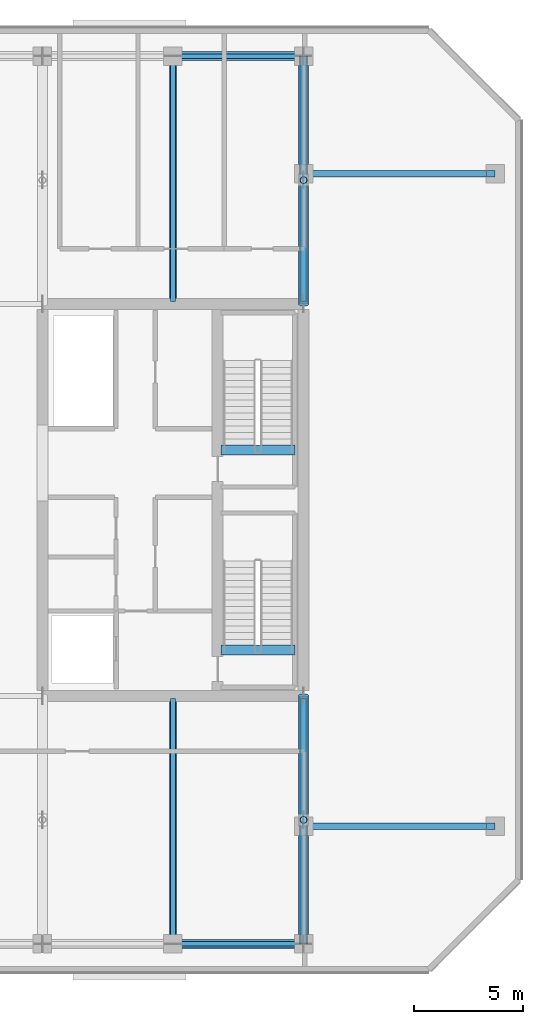
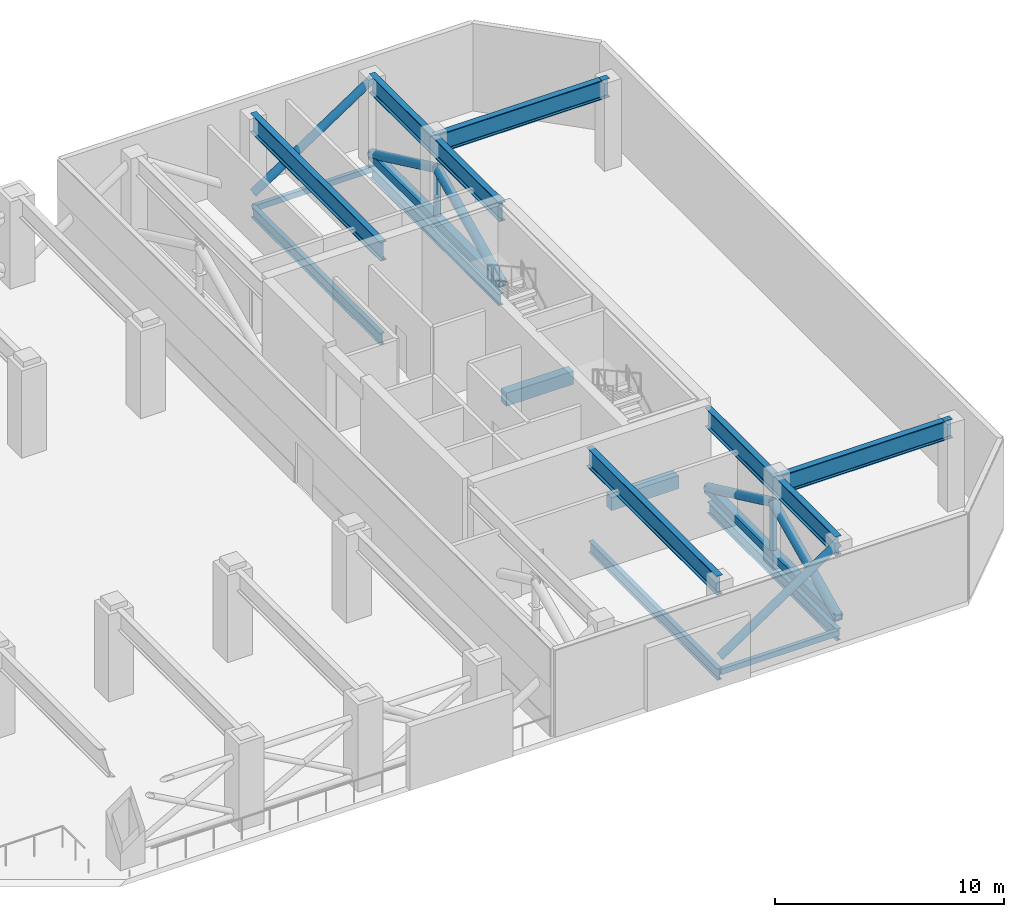
# One storey, part 6 of 18: 16 beams, 10 members.
"""IFC4 building model written with IfcOpenShell, lengths in metres."""

from ifc_helpers import new_model, si_unit, direction, frame, origin, origin_2d, place, context, subcontext, project, spatial, rectangle, hollow_rectangle, hollow_circle, i_section, extrude, material, material_profile, profile_set, type_object, element, save


model = new_model("IFC4")

# Units and contexts
model_context = context("Model", 3, precision=1e-05, world=origin(), true_north=direction((0.0, 1.0)))
body_context = subcontext(model_context, "Body", "Model", "MODEL_VIEW")
ifc_project = project(units=[si_unit("LENGTHUNIT", "METRE"), si_unit("AREAUNIT", "SQUARE_METRE"), si_unit("VOLUMEUNIT", "CUBIC_METRE"), si_unit("PLANEANGLEUNIT", "RADIAN"), si_unit("MASSUNIT", "GRAM", prefix="KILO")], contexts=[model_context])

# Site, building, storey
site_placement = place(None, origin())
site = spatial("IfcSite", under=ifc_project, at=site_placement, CompositionType="ELEMENT")
building_placement = place(site_placement, origin())
building = spatial("IfcBuilding", under=site, at=building_placement, Name="Tanjung Sevakor Pilgrim Tower", CompositionType="ELEMENT")
storey_placement = place(building_placement, frame((0.0, 0.0, 172.919921875)))
storey = spatial("IfcBuildingStorey", under=building, at=storey_placement, Name="L48", CompositionType="ELEMENT", Elevation=172.919921875)

# Beams
ifc_material_1 = material(Name="Steel S355J2", Category="steel")
ifc_material_profile_1 = material_profile(ifc_material_1, i_section(OverallWidth=0.22900390625, OverallDepth=0.6123046875, WebThickness=0.011962890625, FlangeThickness=0.01953125, FilletRadius=0.0126953125, at=origin_2d()))
ifc_profile_set_1 = profile_set([ifc_material_profile_1], Name="Steel S355J2")
beam_type_1 = type_object("IfcBeamType", Name="BM-B-G4-UB_610x229x125", PredefinedType="BEAM", material=ifc_profile_set_1)
for number, where, z_axis, x_axis, name in (
    (1, (84.0, 13.199951171875, -0.5859375), (0.0, 1.0, 0.0), (-1.0, 0.0, 0.0), "L48 MAIN Girder 025"),
    (2, (84.0, 42.715087890625, -0.5859375), (0.0, 1.0, 0.0), (-1.0, 0.0, 0.0), "L48 MAIN Girder 026"),
    (3, (90.0, 13.199951171875, -0.5859375), (0.0, 1.0, 0.0), (-1.0, 0.0, 0.0), "L48 MAIN Girder 027"),
    (4, (90.0, 42.715087890625, -0.5859375), (0.0, 1.0, 0.0), (-1.0, 0.0, 0.0), "L48 MAIN Girder 028"),
):
    element("IfcBeam", number, at=place(storey_placement, frame(where, z_axis=z_axis, x_axis=x_axis)), inside=storey, type_object=beam_type_1, Name=name, PredefinedType="BEAM", context=body_context, shape_type="SweptSolid", body=[
        extrude(i_section(OverallWidth=0.22900390625, OverallDepth=0.6123046875, WebThickness=0.011962890625, FlangeThickness=0.01953125, FilletRadius=0.0126953125, at=origin_2d()), origin(), (0.0, 0.0, 1.0), 11.284912109375),
    ])
ifc_material_2 = material(Name="Steel S460M", Category="steel")
ifc_material_profile_2 = material_profile(ifc_material_2, i_section(OverallWidth=0.302001953125, OverallDepth=1.008056640625, WebThickness=0.02099609375, FlangeThickness=0.0400390625, FilletRadius=0.030029296875, at=origin_2d()))
ifc_profile_set_2 = profile_set([ifc_material_profile_2], Name="Steel S460M")
beam_type_2 = type_object("IfcBeamType", Name="BM-B-G7-HE_1000M", PredefinedType="BEAM", material=ifc_profile_set_2)
beam_1_placement = place(storey_placement, frame((90.0, 18.60009765625, 4.166015625), z_axis=(1.0, 0.0, 0.0), x_axis=(0.0, 1.0, 0.0)))
element("IfcBeam", 5, at=beam_1_placement, inside=storey, type_object=beam_type_2, Name="L48 Short-End Setback Transfer Girder E Y18.6-1", PredefinedType="BEAM", context=body_context, shape_type="SweptSolid", body=[
    extrude(i_section(OverallWidth=0.302001953125, OverallDepth=1.008056640625, WebThickness=0.02099609375, FlangeThickness=0.0400390625, FilletRadius=0.030029296875, at=origin_2d()), origin(), (0.0, 0.0, 1.0), 8.39990234375),
])
beam_2_placement = place(storey_placement, frame((98.39990234375, 18.60009765625, 4.166015625), z_axis=(1.0, 0.0, 0.0), x_axis=(0.0, 1.0, 0.0)))
element("IfcBeam", 6, at=beam_2_placement, inside=storey, type_object=beam_type_2, Name="L48 Short-End Setback Transfer Girder E Y18.6-2", PredefinedType="BEAM", context=body_context, shape_type="SweptSolid", body=[
    extrude(i_section(OverallWidth=0.302001953125, OverallDepth=1.008056640625, WebThickness=0.02099609375, FlangeThickness=0.0400390625, FilletRadius=0.030029296875, at=origin_2d()), origin(), (0.0, 0.0, 1.0), 0.400146484375),
])
beam_3_placement = place(storey_placement, frame((90.0, 48.60009765625, 4.166015625), z_axis=(1.0, 0.0, 0.0), x_axis=(0.0, 1.0, 0.0)))
element("IfcBeam", 7, at=beam_3_placement, inside=storey, type_object=beam_type_2, Name="L48 Short-End Setback Transfer Girder E Y48.6-1", PredefinedType="BEAM", context=body_context, shape_type="SweptSolid", body=[
    extrude(i_section(OverallWidth=0.302001953125, OverallDepth=1.008056640625, WebThickness=0.02099609375, FlangeThickness=0.0400390625, FilletRadius=0.030029296875, at=origin_2d()), origin(), (0.0, 0.0, 1.0), 8.39990234375),
])
beam_4_placement = place(storey_placement, frame((98.39990234375, 48.60009765625, 4.166015625), z_axis=(1.0, 0.0, 0.0), x_axis=(0.0, 1.0, 0.0)))
element("IfcBeam", 8, at=beam_4_placement, inside=storey, type_object=beam_type_2, Name="L48 Short-End Setback Transfer Girder E Y48.6-2", PredefinedType="BEAM", context=body_context, shape_type="SweptSolid", body=[
    extrude(i_section(OverallWidth=0.302001953125, OverallDepth=1.008056640625, WebThickness=0.02099609375, FlangeThickness=0.0400390625, FilletRadius=0.030029296875, at=origin_2d()), origin(), (0.0, 0.0, 1.0), 0.400146484375),
])
beam_5_placement = place(storey_placement, frame((84.0, 13.199951171875, 4.166015625), z_axis=(0.0, 1.0, 0.0), x_axis=(-1.0, 0.0, 0.0)))
element("IfcBeam", 9, at=beam_5_placement, inside=storey, type_object=beam_type_2, Name="L48 Setback Transfer Girder South X84-1", PredefinedType="BEAM", context=body_context, shape_type="SweptSolid", body=[
    extrude(i_section(OverallWidth=0.302001953125, OverallDepth=1.008056640625, WebThickness=0.02099609375, FlangeThickness=0.0400390625, FilletRadius=0.030029296875, at=origin_2d()), origin(), (0.0, 0.0, 1.0), 11.400146484375),
])
beam_6_placement = place(storey_placement, frame((84.0, 42.60009765625, 4.166015625), z_axis=(0.0, 1.0, 0.0), x_axis=(-1.0, 0.0, 0.0)))
element("IfcBeam", 10, at=beam_6_placement, inside=storey, type_object=beam_type_2, Name="L48 Setback Transfer Girder North X84-1", PredefinedType="BEAM", context=body_context, shape_type="SweptSolid", body=[
    extrude(i_section(OverallWidth=0.302001953125, OverallDepth=1.008056640625, WebThickness=0.02099609375, FlangeThickness=0.0400390625, FilletRadius=0.030029296875, at=origin_2d()), origin(), (0.0, 0.0, 1.0), 11.39990234375),
])
beam_7_placement = place(storey_placement, frame((90.0, 13.199951171875, 4.166015625), z_axis=(0.0, 1.0, 0.0), x_axis=(-1.0, 0.0, 0.0)))
element("IfcBeam", 11, at=beam_7_placement, inside=storey, type_object=beam_type_2, Name="L48 Setback Transfer Girder South X90-1", PredefinedType="BEAM", context=body_context, shape_type="SweptSolid", body=[
    extrude(i_section(OverallWidth=0.302001953125, OverallDepth=1.008056640625, WebThickness=0.02099609375, FlangeThickness=0.0400390625, FilletRadius=0.030029296875, at=origin_2d()), origin(), (0.0, 0.0, 1.0), 11.400146484375),
])
beam_8_placement = place(storey_placement, frame((90.0, 42.60009765625, 4.166015625), z_axis=(0.0, 1.0, 0.0), x_axis=(-1.0, 0.0, 0.0)))
element("IfcBeam", 12, at=beam_8_placement, inside=storey, type_object=beam_type_2, Name="L48 Setback Transfer Girder North X90-1", PredefinedType="BEAM", context=body_context, shape_type="SweptSolid", body=[
    extrude(i_section(OverallWidth=0.302001953125, OverallDepth=1.008056640625, WebThickness=0.02099609375, FlangeThickness=0.0400390625, FilletRadius=0.030029296875, at=origin_2d()), origin(), (0.0, 0.0, 1.0), 11.39990234375),
])
ifc_material_3 = material(Name="Concrete C60/75", Category="concrete")
ifc_material_profile_3 = material_profile(ifc_material_3, rectangle(XDim=0.449951171875, YDim=0.699951171875, at=origin_2d()))
ifc_profile_set_3 = profile_set([ifc_material_profile_3], Name="Concrete C60/75")
beam_type_3 = type_object("IfcBeamType", Name="BM-B-LN3-RC-BM_450x700", PredefinedType="LINTEL", material=ifc_profile_set_3)
for number, where, z_axis, x_axis, name in (
    (13, (86.199951171875, 26.699951171875, -0.349853515625), (1.0, 0.0, 0.0), (0.0, 1.0, 0.0), "L48 TS-E1 Stair Threshold Beam"),
    (14, (86.199951171875, 35.89990234375, -0.349853515625), (1.0, 0.0, 0.0), (0.0, 1.0, 0.0), "L48 TS-E2 Stair Threshold Beam"),
):
    element("IfcBeam", number, at=place(storey_placement, frame(where, z_axis=z_axis, x_axis=x_axis)), inside=storey, type_object=beam_type_3, Name=name, PredefinedType="LINTEL", context=body_context, shape_type="SweptSolid", body=[
        extrude(rectangle(XDim=0.449951171875, YDim=0.699951171875, at=origin_2d()), origin(), (0.0, 0.0, 1.0), 3.400146484375),
    ])
ifc_material_4 = material(Name="Steel S355J2", Category="steel")
ifc_material_profile_4 = material_profile(ifc_material_4, hollow_rectangle(XDim=0.199951171875, YDim=0.300048828125, WallThickness=0.012451171875, at=origin_2d()))
ifc_profile_set_4 = profile_set([ifc_material_profile_4], Name="Steel S355J2")
beam_type_4 = type_object("IfcBeamType", Name="BM-B-SP3-RHS_300x200x12.5", PredefinedType="SPANDREL", material=ifc_profile_set_4)
for number, where, z_axis, x_axis, name in (
    (15, (84.0, 13.199951171875, -0.429931640625), (1.0, 0.0, 0.0), (0.0, 1.0, 0.0), "L48 Spandrel MAIN S-17"),
    (16, (84.0, 54.0, -0.429931640625), (1.0, 0.0, 0.0), (0.0, 1.0, 0.0), "L48 Spandrel MAIN N-18"),
):
    element("IfcBeam", number, at=place(storey_placement, frame(where, z_axis=z_axis, x_axis=x_axis)), inside=storey, type_object=beam_type_4, Name=name, PredefinedType="SPANDREL", context=body_context, shape_type="SweptSolid", body=[
        extrude(hollow_rectangle(XDim=0.199951171875, YDim=0.300048828125, WallThickness=0.012451171875, at=origin_2d()), origin(), (0.0, 0.0, 1.0), 6.0),
    ])

# Members
ifc_material_5 = material(Name="Steel S460M", Category="steel")
ifc_material_profile_5 = material_profile(ifc_material_5, hollow_circle(Radius=0.228515625, WallThickness=0.02490234375, at=origin_2d()))
ifc_profile_set_5 = profile_set([ifc_material_profile_5], Name="Steel S460M")
member_type_1 = type_object("IfcMemberType", Name="MEM-M-BR4-CHS_457x25", PredefinedType="BRACE", material=ifc_profile_set_5)
member_1_placement = place(storey_placement, frame((90.0, 13.199951171875, 0.35009765625), z_axis=(0.0, 0.904352899591, 0.426785464843), x_axis=(-1.0, 0.0, 0.0)))
element("IfcMember", 17, at=member_1_placement, inside=storey, type_object=member_type_1, Name="OT-2 L48 Outrigger Truss Diagonal 1 X90 S", PredefinedType="BRACE", context=body_context, shape_type="SweptSolid", body=[
    extrude(hollow_circle(Radius=0.228515625, WallThickness=0.02490234375, at=origin_2d()), origin(), (0.0, 0.0, 1.0), 6.302734375),
])
member_2_placement = place(storey_placement, frame((90.0, 18.89990234375, 3.0400390625), z_axis=(0.0, 0.904359954693, -0.426770514854), x_axis=(-1.0, 0.0, 0.0)))
element("IfcMember", 18, at=member_2_placement, inside=storey, type_object=member_type_1, Name="OT-2 L48 Outrigger Truss Diagonal 2 X90 S", PredefinedType="BRACE", context=body_context, shape_type="SweptSolid", body=[
    extrude(hollow_circle(Radius=0.228515625, WallThickness=0.02490234375, at=origin_2d()), origin(), (0.0, 0.0, 1.0), 6.302978515625),
])
for number, where, z_axis, x_axis, name in (
    (19, (90.0, 42.60009765625, 0.35009765625), (0.0, 0.904352899591, 0.426785464843), (-1.0, 0.0, 0.0), "OT-2 L48 Outrigger Truss Diagonal 1 X90 N"),
    (20, (90.0, 48.300048828125, 3.0400390625), (0.0, 0.904352899591, -0.426785464843), (-1.0, 0.0, 0.0), "OT-2 L48 Outrigger Truss Diagonal 2 X90 N"),
):
    element("IfcMember", number, at=place(storey_placement, frame(where, z_axis=z_axis, x_axis=x_axis)), inside=storey, type_object=member_type_1, Name=name, PredefinedType="BRACE", context=body_context, shape_type="SweptSolid", body=[
        extrude(hollow_circle(Radius=0.228515625, WallThickness=0.02490234375, at=origin_2d()), origin(), (0.0, 0.0, 1.0), 6.302734375),
    ])
ifc_material_6 = material(Name="Steel S460M", Category="steel")
ifc_material_profile_6 = material_profile(ifc_material_6, hollow_circle(Radius=0.203125, WallThickness=0.02001953125, at=origin_2d()))
ifc_profile_set_6 = profile_set([ifc_material_profile_6], Name="Steel S460M")
member_type_2 = type_object("IfcMemberType", Name="MEM-M-BR5-CHS_406.4x20", PredefinedType="BRACE", material=ifc_profile_set_6)
for number, where, z_axis, x_axis, name in (
    (21, (84.0, 13.199951171875, 0.35009765625), (0.832940851568, 0.0, 0.553362031395), (0.0, 1.0, 0.0), "BT-1 L48 Belt Truss Diagonal Brace S-07"),
    (22, (84.0, 54.0, 0.35009765625), (0.832940851568, 0.0, 0.553362031395), (0.0, 1.0, 0.0), "BT-1 L48 Belt Truss Diagonal Brace N-07"),
):
    element("IfcMember", number, at=place(storey_placement, frame(where, z_axis=z_axis, x_axis=x_axis)), inside=storey, type_object=member_type_2, Name=name, PredefinedType="BRACE", context=body_context, shape_type="SweptSolid", body=[
        extrude(hollow_circle(Radius=0.203125, WallThickness=0.02001953125, at=origin_2d()), origin(), (0.0, 0.0, 1.0), 7.203369140625),
    ])
ifc_material_7 = material(Name="Steel S460M", Category="steel")
ifc_material_profile_7 = material_profile(ifc_material_7, hollow_rectangle(XDim=0.39990234375, YDim=0.39990234375, WallThickness=0.02001953125, at=origin_2d()))
ifc_profile_set_7 = profile_set([ifc_material_profile_7], Name="Steel S460M")
member_type_3 = type_object("IfcMemberType", Name="MEM-M-CH4-SHS_400x400x20", PredefinedType="CHORD", material=ifc_profile_set_7)
member_3_placement = place(storey_placement, frame((90.0, 13.199951171875, 0.35009765625), z_axis=(0.0, 1.0, 0.0), x_axis=(-1.0, 0.0, 0.0)))
element("IfcMember", 23, at=member_3_placement, inside=storey, type_object=member_type_3, Name="OT-1 L48 Outrigger Truss Chord X90 S", PredefinedType="CHORD", context=body_context, shape_type="SweptSolid", body=[
    extrude(hollow_rectangle(XDim=0.39990234375, YDim=0.39990234375, WallThickness=0.02001953125, at=origin_2d()), origin(), (0.0, 0.0, 1.0), 11.400146484375),
])
member_4_placement = place(storey_placement, frame((90.0, 42.60009765625, 0.35009765625), z_axis=(0.0, 1.0, 0.0), x_axis=(-1.0, 0.0, 0.0)))
element("IfcMember", 24, at=member_4_placement, inside=storey, type_object=member_type_3, Name="OT-1 L48 Outrigger Truss Chord X90 N", PredefinedType="CHORD", context=body_context, shape_type="SweptSolid", body=[
    extrude(hollow_rectangle(XDim=0.39990234375, YDim=0.39990234375, WallThickness=0.02001953125, at=origin_2d()), origin(), (0.0, 0.0, 1.0), 11.39990234375),
])
ifc_material_8 = material(Name="Steel S460M", Category="steel")
ifc_material_profile_8 = material_profile(ifc_material_8, hollow_circle(Radius=0.161865234375, WallThickness=0.01611328125, at=origin_2d()))
ifc_profile_set_8 = profile_set([ifc_material_profile_8], Name="Steel S460M")
member_type_4 = type_object("IfcMemberType", Name="MEM-M-ST4-CHS_323.9x16", PredefinedType="STRUT", material=ifc_profile_set_8)
for number, where, z_axis, x_axis, name in (
    (25, (90.0, 18.89990234375, 0.35009765625), (0.0, 0.0, 1.0), (1.0, 0.0, 0.0), "OT-3 L48 Outrigger Truss Strut X90 S"),
    (26, (90.0, 48.300048828125, 0.35009765625), (0.0, 0.0, 1.0), (1.0, 0.0, 0.0), "OT-3 L48 Outrigger Truss Strut X90 N"),
):
    element("IfcMember", number, at=place(storey_placement, frame(where, z_axis=z_axis, x_axis=x_axis)), inside=storey, type_object=member_type_4, Name=name, PredefinedType="STRUT", context=body_context, shape_type="SweptSolid", body=[
        extrude(hollow_circle(Radius=0.161865234375, WallThickness=0.01611328125, at=origin_2d()), origin(), (0.0, 0.0, 1.0), 2.68994140625),
    ])

save(model, "model.ifc")
